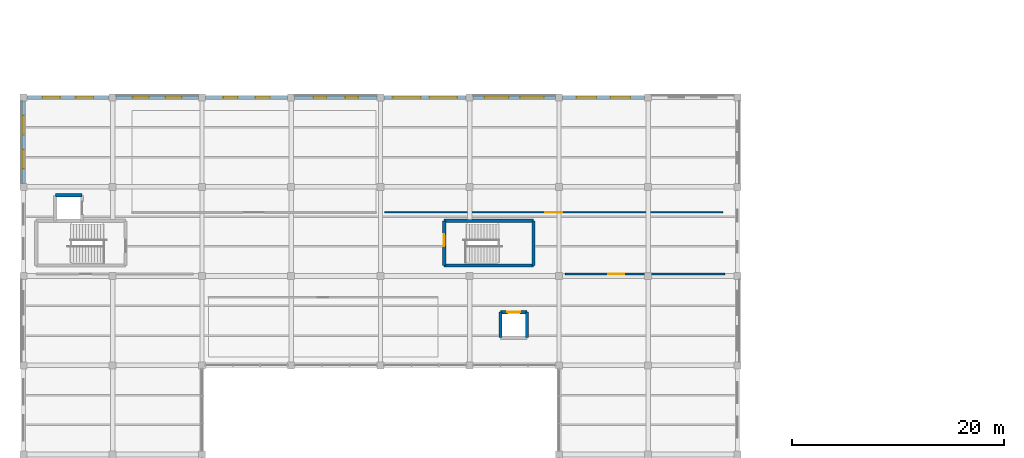
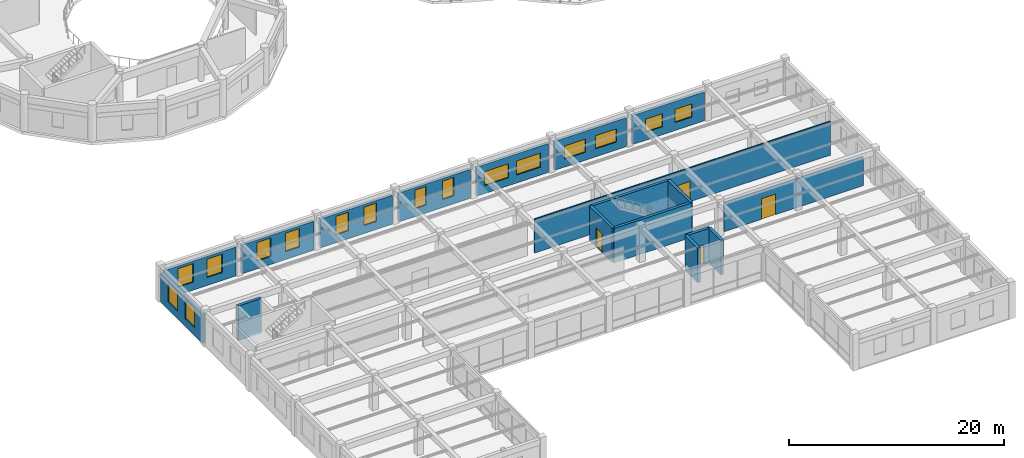
# One storey, part 110 of 138: 18 walls, 16 windows, 4 doors, 20 openings.
"""IFC4 building model written with IfcOpenShell, lengths in metres."""

from ifc_helpers import new_model, si_unit, direction, frame, frame_2d, origin, place, context, subcontext, project, spatial, rectangle, extrude, material, layer, layer_set, type_object, element, fill, save


model = new_model("IFC4")

# Units and contexts
model_context = context("Model", 3, precision=1e-05, world=origin(), true_north=direction((0.0, 1.0)))
body_context = subcontext(model_context, "Body", "Model", "MODEL_VIEW")
ifc_project = project(units=[si_unit("LENGTHUNIT", "METRE"), si_unit("AREAUNIT", "SQUARE_METRE"), si_unit("VOLUMEUNIT", "CUBIC_METRE"), si_unit("PLANEANGLEUNIT", "RADIAN"), si_unit("MASSUNIT", "GRAM", prefix="KILO"), si_unit("THERMODYNAMICTEMPERATUREUNIT", "KELVIN"), si_unit("POWERUNIT", "WATT")], contexts=[model_context])

# Site, building, storey
site_placement = place(None, origin())
site = spatial("IfcSite", under=ifc_project, at=site_placement, CompositionType="ELEMENT")
building_placement = place(site_placement, origin())
building = spatial("IfcBuilding", under=site, at=building_placement, Name="Darbajah Civic Hall", CompositionType="ELEMENT")
storey_placement = place(building_placement, frame((0.0, 0.0, 9.60009765625)))
storey = spatial("IfcBuildingStorey", under=building, at=storey_placement, Name="L02", CompositionType="ELEMENT", Elevation=9.60009765625)

# Walls
ifc_material_1 = material(Name="Concrete C45/55", Category="concrete")
ifc_layer_1 = layer(ifc_material_1, 0.300048828125, Name="Concrete C45/55")
ifc_layer_set_1 = layer_set([ifc_layer_1], Name="Concrete C45/55")
wall_type_1 = type_object("IfcWallType", Name="Core Shear Wall 300mm", PredefinedType="SHEAR", material=ifc_layer_set_1)
wall_1_placement = place(storey_placement, frame((5.5, 32.800048828125, 0.0), z_axis=(0.0, 0.0, 1.0), x_axis=(-1.0, 0.0, 0.0)))
element("IfcWall", 1, at=wall_1_placement, inside=storey, type_object=wall_type_1, Name="L02 lift PL5 shaft wall N", PredefinedType="SHEAR", context=body_context, shape_type="SweptSolid", body=[
    extrude(rectangle(XDim=2.5, YDim=0.300048828125, at=frame_2d((1.25, 0.0))), origin(), (0.0, 0.0, 1.0), 3.919921875),
])
wall_2_placement = place(storey_placement, frame((39.60009765625, 26.199951171875, 0.0), z_axis=(0.0, 0.0, 1.0), x_axis=(1.0, 0.0, 0.0)))
element("IfcWall", 2, at=wall_2_placement, inside=storey, type_object=wall_type_1, Name="L02 core C11 shear wall S", PredefinedType="SHEAR", context=body_context, shape_type="SweptSolid", body=[
    extrude(rectangle(XDim=8.39990234375, YDim=0.300048828125, at=frame_2d((4.199951171875, 0.0))), origin(), (0.0, 0.0, 1.0), 3.919921875),
])
wall_3_placement = place(storey_placement, frame((48.0, 26.199951171875, 0.0), z_axis=(0.0, 0.0, 1.0), x_axis=(0.0, 1.0, 0.0)))
element("IfcWall", 3, at=wall_3_placement, inside=storey, type_object=wall_type_1, Name="L02 core C11 shear wall E", PredefinedType="SHEAR", context=body_context, shape_type="SweptSolid", body=[
    extrude(rectangle(XDim=4.199951171875, YDim=0.300048828125, at=frame_2d((2.10009765625, 0.0))), origin(), (0.0, 0.0, 1.0), 3.919921875),
])
wall_4_placement = place(storey_placement, frame((48.0, 30.39990234375, 0.0), z_axis=(0.0, 0.0, 1.0), x_axis=(-1.0, 0.0, 0.0)))
element("IfcWall", 4, at=wall_4_placement, inside=storey, type_object=wall_type_1, Name="L02 core C11 shear wall N", PredefinedType="SHEAR", context=body_context, shape_type="SweptSolid", body=[
    extrude(rectangle(XDim=8.39990234375, YDim=0.300048828125, at=frame_2d((4.199951171875, 0.0))), origin(), (0.0, 0.0, 1.0), 3.919921875),
])

# Wall, opening, door
wall_5_placement = place(storey_placement, frame((39.60009765625, 30.39990234375, 0.0), z_axis=(0.0, 0.0, 1.0), x_axis=(0.0, -1.0, 0.0)))
wall_5 = element("IfcWall", 5, at=wall_5_placement, inside=storey, type_object=wall_type_1, Name="L02 core C11 shear wall W", PredefinedType="SHEAR", context=body_context, shape_type="SweptSolid", body=[
    extrude(rectangle(XDim=4.199951171875, YDim=0.300048828125, at=frame_2d((2.10009765625, 0.0))), origin(), (0.0, 0.0, 1.0), 3.919921875),
])
opening_1_placement = place(wall_5_placement, frame((1.25, 0.0, 0.0)))
opening_1 = element("IfcOpeningElement", 6, at=opening_1_placement, cuts=wall_5, Name="Opening SD-0123", PredefinedType="OPENING", context=body_context, shape_type="SweptSolid", body=[
    extrude(rectangle(XDim=1.14990234375, YDim=2.199951171875, at=frame_2d((0.574951171875, 1.10009765625))), frame((0.0, 0.159912109375, 0.0), z_axis=(0.0, -1.0, 0.0), x_axis=(1.0, 0.0, 0.0)), (0.0, 0.0, 1.0), 0.320068359375),
])
ifc_material_2 = material(Name="Steel Rated Core Door", Category="steel")
door_type_1 = type_object("IfcDoorType", Name="Interior Door 1150x2200", OperationType="NOTDEFINED", PredefinedType="DOOR", material=ifc_material_2)
door_1_placement = place(opening_1_placement, origin())
door_1 = element("IfcDoor", 7, at=door_1_placement, inside=storey, type_object=door_type_1, Name="L02 stair ST11 fire door SD-0123", OperationType="SINGLE_SWING_RIGHT", OverallHeight=2.199951171875, OverallWidth=1.14990234375, PredefinedType="DOOR", context=body_context, shape_type="SweptSolid", body=[
    extrude(rectangle(XDim=1.14990234375, YDim=2.199951171875, at=frame_2d((0.574951171875, 1.10009765625))), frame((0.0, 0.02490234375, 0.0), z_axis=(0.0, -1.0, 0.0), x_axis=(1.0, 0.0, 0.0)), (0.0, 0.0, 1.0), 0.050048828125),
])
fill(opening_1, door_1)

wall_6_placement = place(storey_placement, frame((47.39990234375, 21.800048828125, 0.0), z_axis=(0.0, 0.0, 1.0), x_axis=(-1.0, 0.0, 0.0)))
wall_6 = element("IfcWall", 8, at=wall_6_placement, inside=storey, type_object=wall_type_1, Name="L02 lift PL6 shaft wall N", PredefinedType="SHEAR", context=body_context, shape_type="SweptSolid", body=[
    extrude(rectangle(XDim=2.5, YDim=0.300048828125, at=frame_2d((1.25, 0.0))), origin(), (0.0, 0.0, 1.0), 3.919921875),
])
opening_2_placement = place(wall_6_placement, frame((0.64990234375, 0.0, 0.0)))
opening_2 = element("IfcOpeningElement", 9, at=opening_2_placement, cuts=wall_6, Name="Opening LD-0129", PredefinedType="OPENING", context=body_context, shape_type="SweptSolid", body=[
    extrude(rectangle(XDim=1.199951171875, YDim=2.25, at=frame_2d((0.60009765625, 1.125))), frame((0.0, 0.159912109375, 0.0), z_axis=(0.0, -1.0, 0.0), x_axis=(1.0, 0.0, 0.0)), (0.0, 0.0, 1.0), 0.320068359375),
])
ifc_material_3 = material(Name="Stainless Lift Landing Door")
door_type_2 = type_object("IfcDoorType", Name="Lift Landing Door 1200x2250", OperationType="SLIDING_TO_LEFT", PredefinedType="DOOR", material=ifc_material_3)
door_2_placement = place(opening_2_placement, origin())
door_2 = element("IfcDoor", 10, at=door_2_placement, inside=storey, type_object=door_type_2, Name="L02 lift PL6 landing door LD-0129", OperationType="SLIDING_TO_LEFT", OverallHeight=2.25, OverallWidth=1.199951171875, PredefinedType="DOOR", context=body_context, shape_type="SweptSolid", body=[
    extrude(rectangle(XDim=1.199951171875, YDim=2.25, at=frame_2d((0.60009765625, 1.125))), frame((0.0, 0.02490234375, 0.0), z_axis=(0.0, -1.0, 0.0), x_axis=(1.0, 0.0, 0.0)), (0.0, 0.0, 1.0), 0.050048828125),
])
fill(opening_2, door_2)

# Walls
for number, where, z_axis, x_axis, name in (
    (11, (44.89990234375, 21.800048828125, 0.0), (0.0, 0.0, 1.0), (0.0, -1.0, 0.0), "L02 lift PL6 shaft wall W"),
    (12, (47.39990234375, 19.39990234375, 0.0), (0.0, 0.0, 1.0), (0.0, 1.0, 0.0), "L02 lift PL6 shaft wall E"),
):
    element("IfcWall", number, at=place(storey_placement, frame(where, z_axis=z_axis, x_axis=x_axis)), inside=storey, type_object=wall_type_1, Name=name, PredefinedType="SHEAR", context=body_context, shape_type="SweptSolid", body=[
        extrude(rectangle(XDim=2.400146484375, YDim=0.300048828125, at=frame_2d((1.2001953125, 0.0))), origin(), (0.0, 0.0, 1.0), 3.919921875),
    ])

# Wall, openings, windows
ifc_material_4 = material(Name="Red Dholpur Sandstone Cladding", Category="masonry")
ifc_layer_2 = layer(ifc_material_4, 0.31005859375, Name="Red Dholpur Sandstone Cladding")
ifc_layer_set_2 = layer_set([ifc_layer_2], Name="Red Dholpur Sandstone Cladding")
wall_type_2 = type_object("IfcWallType", Name="Exterior Wall 310mm", PredefinedType="SOLIDWALL", material=ifc_layer_set_2)
wall_7_placement = place(storey_placement, frame((58.472900390625, 42.0, 0.0), z_axis=(0.0, 0.0, 1.0), x_axis=(-1.0, 0.0, 0.0)))
wall_7 = element("IfcWall", 13, at=wall_7_placement, inside=storey, type_object=wall_type_2, Name="L02 exterior wall EW-310", PredefinedType="SOLIDWALL", context=body_context, shape_type="SweptSolid", body=[
    extrude(rectangle(XDim=7.745849609375, YDim=0.31005859375, at=frame_2d((3.873046875, 0.0))), origin(), (0.0, 0.0, 1.0), 3.289794921875),
])
opening_3_placement = place(wall_7_placement, frame((1.3486328125, 0.0, 0.89990234375)))
opening_3 = element("IfcOpeningElement", 14, at=opening_3_placement, cuts=wall_7, Name="Opening WN-26", PredefinedType="OPENING", context=body_context, shape_type="SweptSolid", body=[
    extrude(rectangle(XDim=1.85009765625, YDim=1.5, at=frame_2d((0.925048828125, 0.75))), frame((0.0, 0.1650390625, 0.0), z_axis=(0.0, -1.0, 0.0), x_axis=(1.0, 0.0, 0.0)), (0.0, 0.0, 1.0), 0.330078125),
])
opening_4_placement = place(wall_7_placement, frame((4.54736328125, 0.0, 0.89990234375)))
opening_4 = element("IfcOpeningElement", 15, at=opening_4_placement, cuts=wall_7, Name="Opening WN-26", PredefinedType="OPENING", context=body_context, shape_type="SweptSolid", body=[
    extrude(rectangle(XDim=1.85009765625, YDim=1.5, at=frame_2d((0.925048828125, 0.75))), frame((0.0, 0.1650390625, 0.0), z_axis=(0.0, -1.0, 0.0), x_axis=(1.0, 0.0, 0.0)), (0.0, 0.0, 1.0), 0.330078125),
])
ifc_material_5 = material(Name="Low-E Solar Control Double Glazing", Category="glass")
window_type_1 = type_object("IfcWindowType", Name="Facade Window 1850x1500", PartitioningType="DOUBLE_PANEL_VERTICAL", PredefinedType="WINDOW", material=ifc_material_5)
window_1_placement = place(opening_3_placement, origin())
window_1 = element("IfcWindow", 16, at=window_1_placement, inside=storey, type_object=window_type_1, Name="L02 facade window WN-26", OverallHeight=1.5, OverallWidth=1.85009765625, PartitioningType="SINGLE_PANEL", PredefinedType="WINDOW", context=body_context, shape_type="SweptSolid", body=[
    extrude(rectangle(XDim=1.85009765625, YDim=1.5, at=frame_2d((0.925048828125, 0.75))), frame((0.0, 0.030029296875, 0.0), z_axis=(0.0, -1.0, 0.0), x_axis=(1.0, 0.0, 0.0)), (0.0, 0.0, 1.0), 0.06005859375),
])
fill(opening_3, window_1)
window_2_placement = place(opening_4_placement, origin())
window_2 = element("IfcWindow", 17, at=window_2_placement, inside=storey, type_object=window_type_1, Name="L02 facade window WN-26", OverallHeight=1.5, OverallWidth=1.85009765625, PartitioningType="SINGLE_PANEL", PredefinedType="WINDOW", context=body_context, shape_type="SweptSolid", body=[
    extrude(rectangle(XDim=1.85009765625, YDim=1.5, at=frame_2d((0.925048828125, 0.75))), frame((0.0, 0.030029296875, 0.0), z_axis=(0.0, -1.0, 0.0), x_axis=(1.0, 0.0, 0.0)), (0.0, 0.0, 1.0), 0.06005859375),
])
fill(opening_4, window_2)

wall_8_placement = place(storey_placement, frame((50.072998046875, 42.0, 0.0), z_axis=(0.0, 0.0, 1.0), x_axis=(-1.0, 0.0, 0.0)))
wall_8 = element("IfcWall", 18, at=wall_8_placement, inside=storey, type_object=wall_type_2, Name="L02 exterior wall EW-310", PredefinedType="SOLIDWALL", context=body_context, shape_type="SweptSolid", body=[
    extrude(rectangle(XDim=7.74609375, YDim=0.31005859375, at=frame_2d((3.873046875, 0.0))), origin(), (0.0, 0.0, 1.0), 3.289794921875),
])
opening_5_placement = place(wall_8_placement, frame((1.08203125, 0.0, 0.89990234375)))
opening_5 = element("IfcOpeningElement", 19, at=opening_5_placement, cuts=wall_8, Name="Opening WN-27", PredefinedType="OPENING", context=body_context, shape_type="SweptSolid", body=[
    extrude(rectangle(XDim=2.25, YDim=1.5, at=frame_2d((1.125, 0.75))), frame((0.0, 0.1650390625, 0.0), z_axis=(0.0, -1.0, 0.0), x_axis=(1.0, 0.0, 0.0)), (0.0, 0.0, 1.0), 0.330078125),
])
opening_6_placement = place(wall_8_placement, frame((4.4140625, 0.0, 0.89990234375)))
opening_6 = element("IfcOpeningElement", 20, at=opening_6_placement, cuts=wall_8, Name="Opening WN-27", PredefinedType="OPENING", context=body_context, shape_type="SweptSolid", body=[
    extrude(rectangle(XDim=2.25, YDim=1.5, at=frame_2d((1.125, 0.75))), frame((0.0, 0.1650390625, 0.0), z_axis=(0.0, -1.0, 0.0), x_axis=(1.0, 0.0, 0.0)), (0.0, 0.0, 1.0), 0.330078125),
])
window_type_2 = type_object("IfcWindowType", Name="Facade Window 2250x1500", PartitioningType="DOUBLE_PANEL_VERTICAL", PredefinedType="WINDOW", material=ifc_material_5)
window_3_placement = place(opening_5_placement, origin())
window_3 = element("IfcWindow", 21, at=window_3_placement, inside=storey, type_object=window_type_2, Name="L02 facade window WN-27", OverallHeight=1.5, OverallWidth=2.25, PartitioningType="SINGLE_PANEL", PredefinedType="WINDOW", context=body_context, shape_type="SweptSolid", body=[
    extrude(rectangle(XDim=2.25, YDim=1.5, at=frame_2d((1.125, 0.75))), frame((0.0, 0.030029296875, 0.0), z_axis=(0.0, -1.0, 0.0), x_axis=(1.0, 0.0, 0.0)), (0.0, 0.0, 1.0), 0.06005859375),
])
fill(opening_5, window_3)
window_4_placement = place(opening_6_placement, origin())
window_4 = element("IfcWindow", 22, at=window_4_placement, inside=storey, type_object=window_type_2, Name="L02 facade window WN-27", OverallHeight=1.5, OverallWidth=2.25, PartitioningType="SINGLE_PANEL", PredefinedType="WINDOW", context=body_context, shape_type="SweptSolid", body=[
    extrude(rectangle(XDim=2.25, YDim=1.5, at=frame_2d((1.125, 0.75))), frame((0.0, 0.030029296875, 0.0), z_axis=(0.0, -1.0, 0.0), x_axis=(1.0, 0.0, 0.0)), (0.0, 0.0, 1.0), 0.06005859375),
])
fill(opening_6, window_4)

wall_9_placement = place(storey_placement, frame((41.673095703125, 42.0, 0.0), z_axis=(0.0, 0.0, 1.0), x_axis=(-1.0, 0.0, 0.0)))
wall_9 = element("IfcWall", 23, at=wall_9_placement, inside=storey, type_object=wall_type_2, Name="L02 exterior wall EW-310", PredefinedType="SOLIDWALL", context=body_context, shape_type="SweptSolid", body=[
    extrude(rectangle(XDim=7.74609375, YDim=0.31005859375, at=frame_2d((3.873046875, 0.0))), origin(), (0.0, 0.0, 1.0), 3.289794921875),
])
opening_7_placement = place(wall_9_placement, frame((0.8486328125, 0.0, 0.89990234375)))
opening_7 = element("IfcOpeningElement", 24, at=opening_7_placement, cuts=wall_9, Name="Opening WN-28", PredefinedType="OPENING", context=body_context, shape_type="SweptSolid", body=[
    extrude(rectangle(XDim=2.60009765625, YDim=1.60009765625, at=frame_2d((1.300048828125, 0.800048828125))), frame((0.0, 0.1650390625, 0.0), z_axis=(0.0, -1.0, 0.0), x_axis=(1.0, 0.0, 0.0)), (0.0, 0.0, 1.0), 0.330078125),
])
opening_8_placement = place(wall_9_placement, frame((4.29736328125, 0.0, 0.89990234375)))
opening_8 = element("IfcOpeningElement", 25, at=opening_8_placement, cuts=wall_9, Name="Opening WN-28", PredefinedType="OPENING", context=body_context, shape_type="SweptSolid", body=[
    extrude(rectangle(XDim=2.60009765625, YDim=1.60009765625, at=frame_2d((1.300048828125, 0.800048828125))), frame((0.0, 0.1650390625, 0.0), z_axis=(0.0, -1.0, 0.0), x_axis=(1.0, 0.0, 0.0)), (0.0, 0.0, 1.0), 0.330078125),
])
window_type_3 = type_object("IfcWindowType", Name="Facade Window 2600x1600", PartitioningType="DOUBLE_PANEL_VERTICAL", PredefinedType="WINDOW", material=ifc_material_5)
window_5_placement = place(opening_7_placement, origin())
window_5 = element("IfcWindow", 26, at=window_5_placement, inside=storey, type_object=window_type_3, Name="L02 facade window WN-28", OverallHeight=1.60009765625, OverallWidth=2.60009765625, PartitioningType="SINGLE_PANEL", PredefinedType="WINDOW", context=body_context, shape_type="SweptSolid", body=[
    extrude(rectangle(XDim=2.60009765625, YDim=1.60009765625, at=frame_2d((1.300048828125, 0.800048828125))), frame((0.0, 0.030029296875, 0.0), z_axis=(0.0, -1.0, 0.0), x_axis=(1.0, 0.0, 0.0)), (0.0, 0.0, 1.0), 0.06005859375),
])
fill(opening_7, window_5)
window_6_placement = place(opening_8_placement, origin())
window_6 = element("IfcWindow", 27, at=window_6_placement, inside=storey, type_object=window_type_3, Name="L02 facade window WN-28", OverallHeight=1.60009765625, OverallWidth=2.60009765625, PartitioningType="SINGLE_PANEL", PredefinedType="WINDOW", context=body_context, shape_type="SweptSolid", body=[
    extrude(rectangle(XDim=2.60009765625, YDim=1.60009765625, at=frame_2d((1.300048828125, 0.800048828125))), frame((0.0, 0.030029296875, 0.0), z_axis=(0.0, -1.0, 0.0), x_axis=(1.0, 0.0, 0.0)), (0.0, 0.0, 1.0), 0.06005859375),
])
fill(opening_8, window_6)

wall_10_placement = place(storey_placement, frame((33.27294921875, 42.0, 0.0), z_axis=(0.0, 0.0, 1.0), x_axis=(-1.0, 0.0, 0.0)))
wall_10 = element("IfcWall", 28, at=wall_10_placement, inside=storey, type_object=wall_type_2, Name="L02 exterior wall EW-310", PredefinedType="SOLIDWALL", context=body_context, shape_type="SweptSolid", body=[
    extrude(rectangle(XDim=7.745849609375, YDim=0.31005859375, at=frame_2d((3.873046875, 0.0))), origin(), (0.0, 0.0, 1.0), 3.289794921875),
])
opening_9_placement = place(wall_10_placement, frame((1.781982421875, 0.0, 0.89990234375)))
opening_9 = element("IfcOpeningElement", 29, at=opening_9_placement, cuts=wall_10, Name="Opening WN-01", PredefinedType="OPENING", context=body_context, shape_type="SweptSolid", body=[
    extrude(rectangle(XDim=1.199951171875, YDim=2.10009765625, at=frame_2d((0.60009765625, 1.050048828125))), frame((0.0, 0.1650390625, 0.0), z_axis=(0.0, -1.0, 0.0), x_axis=(1.0, 0.0, 0.0)), (0.0, 0.0, 1.0), 0.330078125),
])
opening_10_placement = place(wall_10_placement, frame((4.763916015625, 0.0, 0.89990234375)))
opening_10 = element("IfcOpeningElement", 30, at=opening_10_placement, cuts=wall_10, Name="Opening WN-01", PredefinedType="OPENING", context=body_context, shape_type="SweptSolid", body=[
    extrude(rectangle(XDim=1.199951171875, YDim=2.10009765625, at=frame_2d((0.60009765625, 1.050048828125))), frame((0.0, 0.1650390625, 0.0), z_axis=(0.0, -1.0, 0.0), x_axis=(1.0, 0.0, 0.0)), (0.0, 0.0, 1.0), 0.330078125),
])
window_type_4 = type_object("IfcWindowType", Name="Facade Window 1200x2100", PartitioningType="SINGLE_PANEL", PredefinedType="WINDOW", material=ifc_material_5)
window_7_placement = place(opening_9_placement, origin())
window_7 = element("IfcWindow", 31, at=window_7_placement, inside=storey, type_object=window_type_4, Name="L02 facade window WN-01", OverallHeight=2.10009765625, OverallWidth=1.199951171875, PartitioningType="SINGLE_PANEL", PredefinedType="WINDOW", context=body_context, shape_type="SweptSolid", body=[
    extrude(rectangle(XDim=1.199951171875, YDim=2.10009765625, at=frame_2d((0.60009765625, 1.050048828125))), frame((0.0, 0.030029296875, 0.0), z_axis=(0.0, -1.0, 0.0), x_axis=(1.0, 0.0, 0.0)), (0.0, 0.0, 1.0), 0.06005859375),
])
fill(opening_9, window_7)
window_8_placement = place(opening_10_placement, origin())
window_8 = element("IfcWindow", 32, at=window_8_placement, inside=storey, type_object=window_type_4, Name="L02 facade window WN-01", OverallHeight=2.10009765625, OverallWidth=1.199951171875, PartitioningType="SINGLE_PANEL", PredefinedType="WINDOW", context=body_context, shape_type="SweptSolid", body=[
    extrude(rectangle(XDim=1.199951171875, YDim=2.10009765625, at=frame_2d((0.60009765625, 1.050048828125))), frame((0.0, 0.030029296875, 0.0), z_axis=(0.0, -1.0, 0.0), x_axis=(1.0, 0.0, 0.0)), (0.0, 0.0, 1.0), 0.06005859375),
])
fill(opening_10, window_8)

wall_11_placement = place(storey_placement, frame((24.873046875, 42.0, 0.0), z_axis=(0.0, 0.0, 1.0), x_axis=(-1.0, 0.0, 0.0)))
wall_11 = element("IfcWall", 33, at=wall_11_placement, inside=storey, type_object=wall_type_2, Name="L02 exterior wall EW-310", PredefinedType="SOLIDWALL", context=body_context, shape_type="SweptSolid", body=[
    extrude(rectangle(XDim=7.74609375, YDim=0.31005859375, at=frame_2d((3.873046875, 0.0))), origin(), (0.0, 0.0, 1.0), 3.289794921875),
])
opening_11_placement = place(wall_11_placement, frame((1.681884765625, 0.0, 0.89990234375)))
opening_11 = element("IfcOpeningElement", 34, at=opening_11_placement, cuts=wall_11, Name="Opening WN-02", PredefinedType="OPENING", context=body_context, shape_type="SweptSolid", body=[
    extrude(rectangle(XDim=1.35009765625, YDim=2.10009765625, at=frame_2d((0.675048828125, 1.050048828125))), frame((0.0, 0.1650390625, 0.0), z_axis=(0.0, -1.0, 0.0), x_axis=(1.0, 0.0, 0.0)), (0.0, 0.0, 1.0), 0.330078125),
])
opening_12_placement = place(wall_11_placement, frame((4.714111328125, 0.0, 0.89990234375)))
opening_12 = element("IfcOpeningElement", 35, at=opening_12_placement, cuts=wall_11, Name="Opening WN-02", PredefinedType="OPENING", context=body_context, shape_type="SweptSolid", body=[
    extrude(rectangle(XDim=1.35009765625, YDim=2.10009765625, at=frame_2d((0.675048828125, 1.050048828125))), frame((0.0, 0.1650390625, 0.0), z_axis=(0.0, -1.0, 0.0), x_axis=(1.0, 0.0, 0.0)), (0.0, 0.0, 1.0), 0.330078125),
])
window_type_5 = type_object("IfcWindowType", Name="Facade Window 1350x2100", PartitioningType="SINGLE_PANEL", PredefinedType="WINDOW", material=ifc_material_5)
window_9_placement = place(opening_11_placement, origin())
window_9 = element("IfcWindow", 36, at=window_9_placement, inside=storey, type_object=window_type_5, Name="L02 facade window WN-02", OverallHeight=2.10009765625, OverallWidth=1.35009765625, PartitioningType="SINGLE_PANEL", PredefinedType="WINDOW", context=body_context, shape_type="SweptSolid", body=[
    extrude(rectangle(XDim=1.35009765625, YDim=2.10009765625, at=frame_2d((0.675048828125, 1.050048828125))), frame((0.0, 0.030029296875, 0.0), z_axis=(0.0, -1.0, 0.0), x_axis=(1.0, 0.0, 0.0)), (0.0, 0.0, 1.0), 0.06005859375),
])
fill(opening_11, window_9)
window_10_placement = place(opening_12_placement, origin())
window_10 = element("IfcWindow", 37, at=window_10_placement, inside=storey, type_object=window_type_5, Name="L02 facade window WN-02", OverallHeight=2.10009765625, OverallWidth=1.35009765625, PartitioningType="SINGLE_PANEL", PredefinedType="WINDOW", context=body_context, shape_type="SweptSolid", body=[
    extrude(rectangle(XDim=1.35009765625, YDim=2.10009765625, at=frame_2d((0.675048828125, 1.050048828125))), frame((0.0, 0.030029296875, 0.0), z_axis=(0.0, -1.0, 0.0), x_axis=(1.0, 0.0, 0.0)), (0.0, 0.0, 1.0), 0.06005859375),
])
fill(opening_12, window_10)

wall_12_placement = place(storey_placement, frame((16.472900390625, 42.0, 0.0), z_axis=(0.0, 0.0, 1.0), x_axis=(-1.0, 0.0, 0.0)))
wall_12 = element("IfcWall", 38, at=wall_12_placement, inside=storey, type_object=wall_type_2, Name="L02 exterior wall EW-310", PredefinedType="SOLIDWALL", context=body_context, shape_type="SweptSolid", body=[
    extrude(rectangle(XDim=7.745849609375, YDim=0.31005859375, at=frame_2d((3.873046875, 0.0))), origin(), (0.0, 0.0, 1.0), 3.289794921875),
])
opening_13_placement = place(wall_12_placement, frame((1.58203125, 0.0, 0.89990234375)))
opening_13 = element("IfcOpeningElement", 39, at=opening_13_placement, cuts=wall_12, Name="Opening WN-03", PredefinedType="OPENING", context=body_context, shape_type="SweptSolid", body=[
    extrude(rectangle(XDim=1.5, YDim=2.10009765625, at=frame_2d((0.75, 1.050048828125))), frame((0.0, 0.1650390625, 0.0), z_axis=(0.0, -1.0, 0.0), x_axis=(1.0, 0.0, 0.0)), (0.0, 0.0, 1.0), 0.330078125),
])
opening_14_placement = place(wall_12_placement, frame((4.6640625, 0.0, 0.89990234375)))
opening_14 = element("IfcOpeningElement", 40, at=opening_14_placement, cuts=wall_12, Name="Opening WN-03", PredefinedType="OPENING", context=body_context, shape_type="SweptSolid", body=[
    extrude(rectangle(XDim=1.5, YDim=2.10009765625, at=frame_2d((0.75, 1.050048828125))), frame((0.0, 0.1650390625, 0.0), z_axis=(0.0, -1.0, 0.0), x_axis=(1.0, 0.0, 0.0)), (0.0, 0.0, 1.0), 0.330078125),
])
window_type_6 = type_object("IfcWindowType", Name="Facade Window 1500x2100", PartitioningType="SINGLE_PANEL", PredefinedType="WINDOW", material=ifc_material_5)
window_11_placement = place(opening_13_placement, origin())
window_11 = element("IfcWindow", 41, at=window_11_placement, inside=storey, type_object=window_type_6, Name="L02 facade window WN-03", OverallHeight=2.10009765625, OverallWidth=1.5, PartitioningType="SINGLE_PANEL", PredefinedType="WINDOW", context=body_context, shape_type="SweptSolid", body=[
    extrude(rectangle(XDim=1.5, YDim=2.10009765625, at=frame_2d((0.75, 1.050048828125))), frame((0.0, 0.030029296875, 0.0), z_axis=(0.0, -1.0, 0.0), x_axis=(1.0, 0.0, 0.0)), (0.0, 0.0, 1.0), 0.06005859375),
])
fill(opening_13, window_11)
window_12_placement = place(opening_14_placement, origin())
window_12 = element("IfcWindow", 42, at=window_12_placement, inside=storey, type_object=window_type_6, Name="L02 facade window WN-03", OverallHeight=2.10009765625, OverallWidth=1.5, PartitioningType="SINGLE_PANEL", PredefinedType="WINDOW", context=body_context, shape_type="SweptSolid", body=[
    extrude(rectangle(XDim=1.5, YDim=2.10009765625, at=frame_2d((0.75, 1.050048828125))), frame((0.0, 0.030029296875, 0.0), z_axis=(0.0, -1.0, 0.0), x_axis=(1.0, 0.0, 0.0)), (0.0, 0.0, 1.0), 0.06005859375),
])
fill(opening_14, window_12)

wall_13_placement = place(storey_placement, frame((8.072998046875, 42.0, 0.0), z_axis=(0.0, 0.0, 1.0), x_axis=(-1.0, 0.0, 0.0)))
wall_13 = element("IfcWall", 43, at=wall_13_placement, inside=storey, type_object=wall_type_2, Name="L02 exterior wall EW-310", PredefinedType="SOLIDWALL", context=body_context, shape_type="SweptSolid", body=[
    extrude(rectangle(XDim=7.74609375, YDim=0.31005859375, at=frame_2d((3.873046875, 0.0))), origin(), (0.0, 0.0, 1.0), 3.289794921875),
])
opening_15_placement = place(wall_13_placement, frame((1.48193359375, 0.0, 0.89990234375)))
opening_15 = element("IfcOpeningElement", 44, at=opening_15_placement, cuts=wall_13, Name="Opening WN-04", PredefinedType="OPENING", context=body_context, shape_type="SweptSolid", body=[
    extrude(rectangle(XDim=1.64990234375, YDim=2.10009765625, at=frame_2d((0.824951171875, 1.050048828125))), frame((0.0, 0.1650390625, 0.0), z_axis=(0.0, -1.0, 0.0), x_axis=(1.0, 0.0, 0.0)), (0.0, 0.0, 1.0), 0.330078125),
])
opening_16_placement = place(wall_13_placement, frame((4.614013671875, 0.0, 0.89990234375)))
opening_16 = element("IfcOpeningElement", 45, at=opening_16_placement, cuts=wall_13, Name="Opening WN-04", PredefinedType="OPENING", context=body_context, shape_type="SweptSolid", body=[
    extrude(rectangle(XDim=1.64990234375, YDim=2.10009765625, at=frame_2d((0.824951171875, 1.050048828125))), frame((0.0, 0.1650390625, 0.0), z_axis=(0.0, -1.0, 0.0), x_axis=(1.0, 0.0, 0.0)), (0.0, 0.0, 1.0), 0.330078125),
])
window_type_7 = type_object("IfcWindowType", Name="Facade Window 1650x2100", PartitioningType="DOUBLE_PANEL_VERTICAL", PredefinedType="WINDOW", material=ifc_material_5)
window_13_placement = place(opening_15_placement, origin())
window_13 = element("IfcWindow", 46, at=window_13_placement, inside=storey, type_object=window_type_7, Name="L02 facade window WN-04", OverallHeight=2.10009765625, OverallWidth=1.64990234375, PartitioningType="SINGLE_PANEL", PredefinedType="WINDOW", context=body_context, shape_type="SweptSolid", body=[
    extrude(rectangle(XDim=1.64990234375, YDim=2.10009765625, at=frame_2d((0.824951171875, 1.050048828125))), frame((0.0, 0.030029296875, 0.0), z_axis=(0.0, -1.0, 0.0), x_axis=(1.0, 0.0, 0.0)), (0.0, 0.0, 1.0), 0.06005859375),
])
fill(opening_15, window_13)
window_14_placement = place(opening_16_placement, origin())
window_14 = element("IfcWindow", 47, at=window_14_placement, inside=storey, type_object=window_type_7, Name="L02 facade window WN-04", OverallHeight=2.10009765625, OverallWidth=1.64990234375, PartitioningType="SINGLE_PANEL", PredefinedType="WINDOW", context=body_context, shape_type="SweptSolid", body=[
    extrude(rectangle(XDim=1.64990234375, YDim=2.10009765625, at=frame_2d((0.824951171875, 1.050048828125))), frame((0.0, 0.030029296875, 0.0), z_axis=(0.0, -1.0, 0.0), x_axis=(1.0, 0.0, 0.0)), (0.0, 0.0, 1.0), 0.06005859375),
])
fill(opening_16, window_14)

wall_14_placement = place(storey_placement, frame((0.0, 41.673095703125, 0.0), z_axis=(0.0, 0.0, 1.0), x_axis=(0.0, -1.0, 0.0)))
wall_14 = element("IfcWall", 48, at=wall_14_placement, inside=storey, type_object=wall_type_2, Name="L02 exterior wall EW-310", PredefinedType="SOLIDWALL", context=body_context, shape_type="SweptSolid", body=[
    extrude(rectangle(XDim=7.74609375, YDim=0.31005859375, at=frame_2d((3.873046875, 0.0))), origin(), (0.0, 0.0, 1.0), 3.289794921875),
])
opening_17_placement = place(wall_14_placement, frame((1.382080078125, 0.0, 0.89990234375)))
opening_17 = element("IfcOpeningElement", 49, at=opening_17_placement, cuts=wall_14, Name="Opening WN-05", PredefinedType="OPENING", context=body_context, shape_type="SweptSolid", body=[
    extrude(rectangle(XDim=1.800048828125, YDim=2.10009765625, at=frame_2d((0.89990234375, 1.050048828125))), frame((0.0, 0.1650390625, 0.0), z_axis=(0.0, -1.0, 0.0), x_axis=(1.0, 0.0, 0.0)), (0.0, 0.0, 1.0), 0.330078125),
])
opening_18_placement = place(wall_14_placement, frame((4.56396484375, 0.0, 0.89990234375)))
opening_18 = element("IfcOpeningElement", 50, at=opening_18_placement, cuts=wall_14, Name="Opening WN-05", PredefinedType="OPENING", context=body_context, shape_type="SweptSolid", body=[
    extrude(rectangle(XDim=1.800048828125, YDim=2.10009765625, at=frame_2d((0.89990234375, 1.050048828125))), frame((0.0, 0.1650390625, 0.0), z_axis=(0.0, -1.0, 0.0), x_axis=(1.0, 0.0, 0.0)), (0.0, 0.0, 1.0), 0.330078125),
])
window_type_8 = type_object("IfcWindowType", Name="Facade Window 1800x2100", PartitioningType="DOUBLE_PANEL_VERTICAL", PredefinedType="WINDOW", material=ifc_material_5)
window_15_placement = place(opening_17_placement, origin())
window_15 = element("IfcWindow", 51, at=window_15_placement, inside=storey, type_object=window_type_8, Name="L02 facade window WN-05", OverallHeight=2.10009765625, OverallWidth=1.800048828125, PartitioningType="SINGLE_PANEL", PredefinedType="WINDOW", context=body_context, shape_type="SweptSolid", body=[
    extrude(rectangle(XDim=1.800048828125, YDim=2.10009765625, at=frame_2d((0.89990234375, 1.050048828125))), frame((0.0, 0.030029296875, 0.0), z_axis=(0.0, -1.0, 0.0), x_axis=(1.0, 0.0, 0.0)), (0.0, 0.0, 1.0), 0.06005859375),
])
fill(opening_17, window_15)
window_16_placement = place(opening_18_placement, origin())
window_16 = element("IfcWindow", 52, at=window_16_placement, inside=storey, type_object=window_type_8, Name="L02 facade window WN-05", OverallHeight=2.10009765625, OverallWidth=1.800048828125, PartitioningType="SINGLE_PANEL", PredefinedType="WINDOW", context=body_context, shape_type="SweptSolid", body=[
    extrude(rectangle(XDim=1.800048828125, YDim=2.10009765625, at=frame_2d((0.89990234375, 1.050048828125))), frame((0.0, 0.030029296875, 0.0), z_axis=(0.0, -1.0, 0.0), x_axis=(1.0, 0.0, 0.0)), (0.0, 0.0, 1.0), 0.06005859375),
])
fill(opening_18, window_16)

# Wall, opening, door
ifc_material_6 = material(Name="Acoustic Gypsum Partition")
ifc_layer_3 = layer(ifc_material_6, 0.114990234375, Name="Acoustic Gypsum Partition")
ifc_layer_set_3 = layer_set([ifc_layer_3], Name="Acoustic Gypsum Partition")
wall_type_3 = type_object("IfcWallType", Name="Interior Partition 115mm", PredefinedType="PARTITIONING", material=ifc_layer_set_3)
wall_15_placement = place(storey_placement, frame((34.0, 31.199951171875, 0.0), z_axis=(0.0, 0.0, 1.0), x_axis=(1.0, 0.0, 0.0)))
wall_15 = element("IfcWall", 53, at=wall_15_placement, inside=storey, type_object=wall_type_3, Name="L02 interior partition L02-V5-05", PredefinedType="PARTITIONING", context=body_context, shape_type="SweptSolid", body=[
    extrude(rectangle(XDim=31.800048828125, YDim=0.114990234375, at=frame_2d((15.89990234375, 0.0))), origin(), (0.0, 0.0, 1.0), 3.85986328125),
])
opening_19_placement = place(wall_15_placement, frame((15.10009765625, 0.0, 0.0)))
opening_19 = element("IfcOpeningElement", 54, at=opening_19_placement, cuts=wall_15, Name="Opening D-0220", PredefinedType="OPENING", context=body_context, shape_type="SweptSolid", body=[
    extrude(rectangle(XDim=1.60009765625, YDim=2.300048828125, at=frame_2d((0.800048828125, 1.14990234375))), frame((0.0, 0.0673828125, 0.0), z_axis=(0.0, -1.0, 0.0), x_axis=(1.0, 0.0, 0.0)), (0.0, 0.0, 1.0), 0.135009765625),
])
ifc_material_7 = material(Name="Painted Hardwood Fire Door", Category="wood")
door_type_3 = type_object("IfcDoorType", Name="Interior Door 1600x2300", OperationType="NOTDEFINED", PredefinedType="DOOR", material=ifc_material_7)
door_3_placement = place(opening_19_placement, origin())
door_3 = element("IfcDoor", 55, at=door_3_placement, inside=storey, type_object=door_type_3, Name="L02 L02-V5-05 door D-0220", OperationType="DOUBLE_DOOR_SINGLE_SWING", OverallHeight=2.300048828125, OverallWidth=1.60009765625, PredefinedType="DOOR", context=body_context, shape_type="SweptSolid", body=[
    extrude(rectangle(XDim=1.60009765625, YDim=2.300048828125, at=frame_2d((0.800048828125, 1.14990234375))), frame((0.0, 0.02490234375, 0.0), z_axis=(0.0, -1.0, 0.0), x_axis=(1.0, 0.0, 0.0)), (0.0, 0.0, 1.0), 0.050048828125),
])
fill(opening_19, door_3)

ifc_material_8 = material(Name="Gypsum Plasterboard on Steel Stud", Category="steel")
ifc_layer_4 = layer(ifc_material_8, 0.159912109375, Name="Gypsum Plasterboard on Steel Stud")
ifc_layer_set_4 = layer_set([ifc_layer_4], Name="Gypsum Plasterboard on Steel Stud")
wall_type_4 = type_object("IfcWallType", Name="Interior Partition 160mm", PredefinedType="PARTITIONING", material=ifc_layer_set_4)
wall_16_placement = place(storey_placement, frame((51.0, 25.39990234375, 0.0), z_axis=(0.0, 0.0, 1.0), x_axis=(1.0, 0.0, 0.0)))
wall_16 = element("IfcWall", 56, at=wall_16_placement, inside=storey, type_object=wall_type_4, Name="L02 interior partition L02-V5-03", PredefinedType="PARTITIONING", context=body_context, shape_type="SweptSolid", body=[
    extrude(rectangle(XDim=15.0, YDim=0.159912109375, at=frame_2d((7.5, 0.0))), origin(), (0.0, 0.0, 1.0), 3.289794921875),
])
opening_20_placement = place(wall_16_placement, frame((4.050048828125, 0.0, 0.0)))
opening_20 = element("IfcOpeningElement", 57, at=opening_20_placement, cuts=wall_16, Name="Opening D-0218", PredefinedType="OPENING", context=body_context, shape_type="SweptSolid", body=[
    extrude(rectangle(XDim=1.5, YDim=2.35009765625, at=frame_2d((0.75, 1.175048828125))), frame((0.0, 0.08984375, 0.0), z_axis=(0.0, -1.0, 0.0), x_axis=(1.0, 0.0, 0.0)), (0.0, 0.0, 1.0), 0.179931640625),
])
ifc_material_9 = material(Name="Committee Chamber Double Door")
door_type_4 = type_object("IfcDoorType", Name="Interior Door 1500x2350", OperationType="NOTDEFINED", PredefinedType="DOOR", material=ifc_material_9)
door_4_placement = place(opening_20_placement, origin())
door_4 = element("IfcDoor", 58, at=door_4_placement, inside=storey, type_object=door_type_4, Name="L02 L02-V5-03 door D-0218", OperationType="DOUBLE_DOOR_SINGLE_SWING", OverallHeight=2.35009765625, OverallWidth=1.5, PredefinedType="DOOR", context=body_context, shape_type="SweptSolid", body=[
    extrude(rectangle(XDim=1.5, YDim=2.35009765625, at=frame_2d((0.75, 1.175048828125))), frame((0.0, 0.02490234375, 0.0), z_axis=(0.0, -1.0, 0.0), x_axis=(1.0, 0.0, 0.0)), (0.0, 0.0, 1.0), 0.050048828125),
])
fill(opening_20, door_4)

save(model, "model.ifc")
